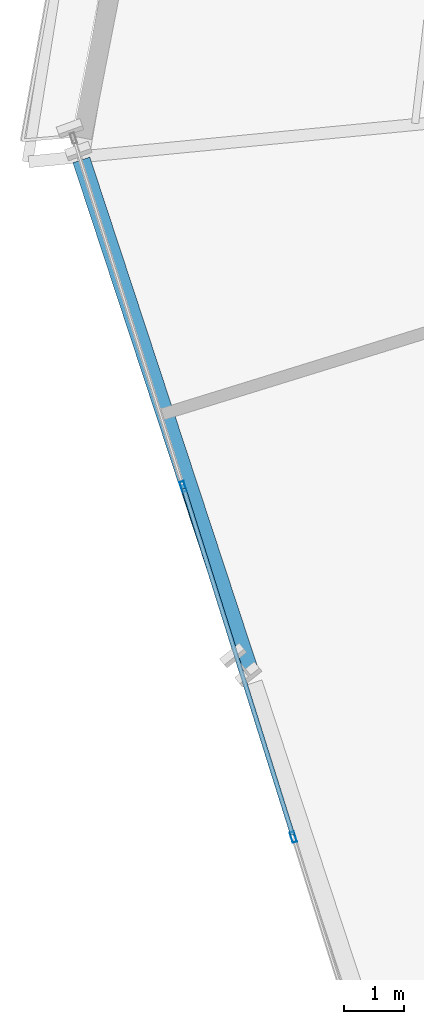
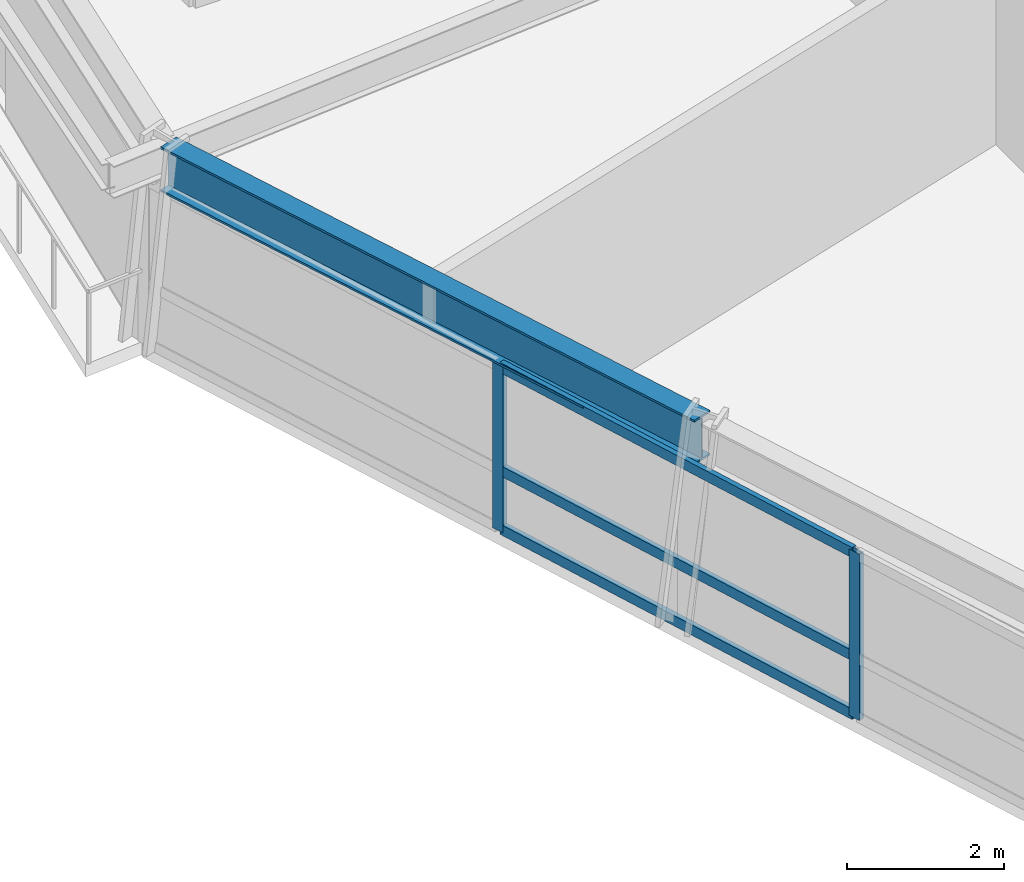
# One storey, part 4 of 21: 5 members, 1 beam, 1 element without a shape of its own.
"""IFC4 building model written with IfcOpenShell, lengths in metres."""

from ifc_helpers import new_model, si_unit, direction, frame, origin, origin_2d, place, context, subcontext, project, spatial, hollow_rectangle, i_section, extrude, source, transform, mapped, material, material_profile, profile_set, type_object, element, aggregate, save


model = new_model("IFC4")

# Units and contexts
model_context = context("Model", 3, precision=1e-05, world=origin(), true_north=direction((0.0, 1.0)))
body_context = subcontext(model_context, "Body", "Model", "MODEL_VIEW")
ifc_project = project(units=[si_unit("LENGTHUNIT", "METRE"), si_unit("AREAUNIT", "SQUARE_METRE"), si_unit("VOLUMEUNIT", "CUBIC_METRE"), si_unit("PLANEANGLEUNIT", "RADIAN"), si_unit("MASSUNIT", "GRAM", prefix="KILO")], contexts=[model_context])

# Site, building, storey
site_placement = place(None, origin())
site = spatial("IfcSite", under=ifc_project, at=site_placement, CompositionType="ELEMENT")
building_placement = place(site_placement, origin())
building = spatial("IfcBuilding", under=site, at=building_placement, Name="Olszyna Solenne Hotel", CompositionType="ELEMENT")
storey_placement = place(building_placement, frame((0.0, 0.0, 54.14990234375)))
storey = spatial("IfcBuildingStorey", under=building, at=storey_placement, Name="L13", CompositionType="ELEMENT", Elevation=54.14990234375)

# Beam
ifc_material_1 = material(Name="Steel S355J2", Category="steel")
ifc_material_profile_1 = material_profile(ifc_material_1, i_section(OverallWidth=0.300048828125, OverallDepth=0.699951171875, WebThickness=0.01708984375, FlangeThickness=0.031982421875, at=origin_2d()), Name="HEB 700", Category="load-bearing")
ifc_profile_set_1 = profile_set([ifc_material_profile_1], Name="Steel S355J2")
beam_type = type_object("IfcBeamType", Name="BM-S1", PredefinedType="BEAM", material=ifc_profile_set_1)
shared_shape_1 = source(origin(), body_context, "Body", "SweptSolid", [
    extrude(i_section(OverallWidth=0.300048828125, OverallDepth=0.699951171875, WebThickness=0.01708984375, FlangeThickness=0.031982421875, at=origin_2d()), origin(), (0.0, 0.0, 1.0), 9.1298828125),
])
beam_placement = place(storey_placement, frame((15.736083984375, 24.40283203125, 2.9501953125), z_axis=(0.312655605458, -0.949866555036, 0.0), x_axis=(0.949866555036, 0.312655605458, 0.0)))
element("IfcBeam", 1, at=beam_placement, inside=storey, type_object=beam_type, Name="Perimeter spandrel beam BM-S1 B-L13-0412", PredefinedType="BEAM", context=body_context, shape_type="MappedRepresentation", body=[
    mapped(shared_shape_1, transform((0.0, 0.0, 0.0), x_axis=(1.0, 0.0, 0.0), y_axis=(0.0, 1.0, 0.0), z_axis=(0.0, 0.0, 1.0), scale=1.0)),
])

# Curtain wall, members
ifc_material_2 = material(Name="Anodised bronze aluminium", Category="aluminium")
curtain_wall_type = type_object("IfcCurtainWallType", Name="CW-SYS-2", PredefinedType="NOTDEFINED", material=ifc_material_2)
curtain_wall_placement = place(storey_placement, origin())
curtain_wall = element("IfcCurtainWall", 2, at=curtain_wall_placement, inside=storey, type_object=curtain_wall_type, Name="Unitised curtain wall CW-SYS-2 CW-L13-01", PredefinedType="NOTDEFINED")
ifc_material_profile_2 = material_profile(ifc_material_2, hollow_rectangle(XDim=0.074951171875, YDim=0.179931640625, WallThickness=0.00439453125, at=origin_2d()), Name="MULL 180x75x4.5", Category="load-bearing")
ifc_profile_set_2 = profile_set([ifc_material_profile_2], Name="Anodised bronze aluminium")
member_type_1 = type_object("IfcMemberType", Name="CW-M2", PredefinedType="MULLION", material=ifc_profile_set_2)
shared_shape_2 = source(origin(), body_context, "Body", "SweptSolid", [
    extrude(hollow_rectangle(XDim=0.074951171875, YDim=0.179931640625, WallThickness=0.00439453125, at=origin_2d()), origin(), (0.0, 0.0, 1.0), 2.592041015625),
])
member_1_placement = place(storey_placement, frame((17.445068359375, 18.9140625, 0.0), z_axis=(0.0, 0.0, 1.0), x_axis=(0.95391417649, 0.300079562602, 0.0)))
member_1 = element("IfcMember", 3, at=member_1_placement, type_object=member_type_1, Name="Curtain-wall mullion CW-M2 CM-L13-01-02", PredefinedType="MULLION", context=body_context, shape_type="MappedRepresentation", body=[
    mapped(shared_shape_2, transform((0.0, 0.0, 0.0), x_axis=(1.0, 0.0, 0.0), y_axis=(0.0, 1.0, 0.0), z_axis=(0.0, 0.0, 1.0), scale=1.0)),
])
member_2_placement = place(storey_placement, frame((19.2978515625, 13.0244140625, 0.0), z_axis=(0.0, 0.0, 1.0), x_axis=(0.95391417649, 0.300079562602, 0.0)))
member_2 = element("IfcMember", 4, at=member_2_placement, type_object=member_type_1, Name="Curtain-wall mullion CW-M2 CM-L13-01-03", PredefinedType="MULLION", context=body_context, shape_type="MappedRepresentation", body=[
    mapped(shared_shape_2, transform((0.0, 0.0, 0.0), x_axis=(1.0, 0.0, 0.0), y_axis=(0.0, 1.0, 0.0), z_axis=(0.0, 0.0, 1.0), scale=1.0)),
])
ifc_material_profile_3 = material_profile(ifc_material_2, hollow_rectangle(XDim=0.074951171875, YDim=0.159912109375, WallThickness=0.00390625, at=origin_2d()), Name="TRAN 160x75x4", Category="load-bearing")
ifc_profile_set_3 = profile_set([ifc_material_profile_3], Name="Anodised bronze aluminium")
member_type_2 = type_object("IfcMemberType", Name="CW-T1", PredefinedType="USERDEFINED", material=ifc_profile_set_3)
shared_shape_3 = source(origin(), body_context, "Body", "SweptSolid", [
    extrude(hollow_rectangle(XDim=0.074951171875, YDim=0.159912109375, WallThickness=0.00390625, at=origin_2d()), origin(), (0.0, 0.0, 1.0), 6.09912109375),
])
member_3_placement = place(storey_placement, frame((17.456298828125, 18.878173828125, 0.03759765625), z_axis=(0.300090961274, -0.953910590654, 0.0), x_axis=(0.953910590654, 0.300090961274, 0.0)))
member_3 = element("IfcMember", 5, at=member_3_placement, type_object=member_type_2, Name="Curtain-wall transom CW-T1 CT-L13-01-04", ObjectType="TRANSOM", PredefinedType="USERDEFINED", context=body_context, shape_type="MappedRepresentation", body=[
    mapped(shared_shape_3, transform((0.0, 0.0, 0.0), x_axis=(1.0, 0.0, 0.0), y_axis=(0.0, 1.0, 0.0), z_axis=(0.0, 0.0, 1.0), scale=1.0)),
])
member_4_placement = place(storey_placement, frame((17.456298828125, 18.878173828125, 0.9501953125), z_axis=(0.300090961274, -0.953910590654, 0.0), x_axis=(0.953910590654, 0.300090961274, 0.0)))
member_4 = element("IfcMember", 6, at=member_4_placement, type_object=member_type_2, Name="Curtain-wall transom CW-T1 CT-L13-01-05", ObjectType="TRANSOM", PredefinedType="USERDEFINED", context=body_context, shape_type="MappedRepresentation", body=[
    mapped(shared_shape_3, transform((0.0, 0.0, 0.0), x_axis=(1.0, 0.0, 0.0), y_axis=(0.0, 1.0, 0.0), z_axis=(0.0, 0.0, 1.0), scale=1.0)),
])
member_5_placement = place(storey_placement, frame((17.456298828125, 18.878173828125, 2.5546875), z_axis=(0.300090961274, -0.953910590654, 0.0), x_axis=(0.953910590654, 0.300090961274, 0.0)))
member_5 = element("IfcMember", 7, at=member_5_placement, type_object=member_type_2, Name="Curtain-wall transom CW-T1 CT-L13-01-06", ObjectType="TRANSOM", PredefinedType="USERDEFINED", context=body_context, shape_type="MappedRepresentation", body=[
    mapped(shared_shape_3, transform((0.0, 0.0, 0.0), x_axis=(1.0, 0.0, 0.0), y_axis=(0.0, 1.0, 0.0), z_axis=(0.0, 0.0, 1.0), scale=1.0)),
])
aggregate(curtain_wall, [member_1, member_2, member_3, member_4, member_5])

save(model, "model.ifc")
